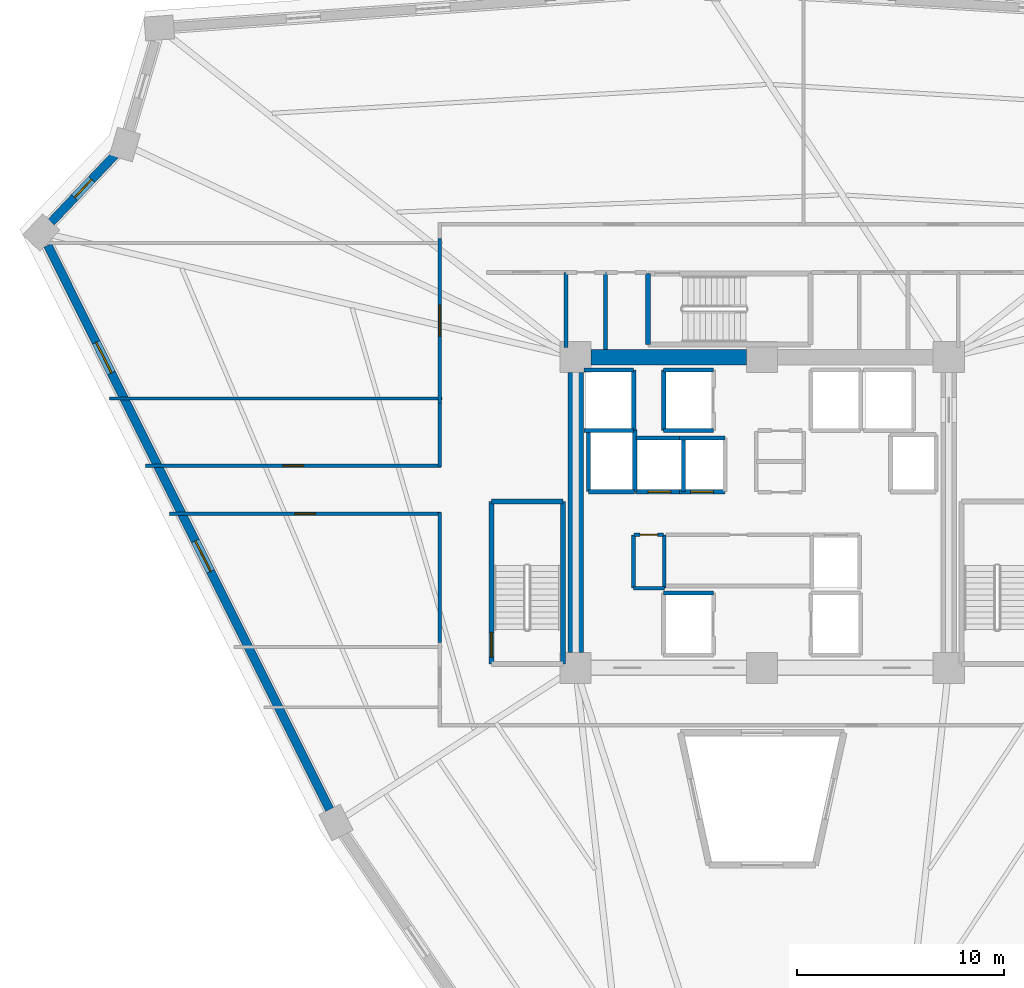
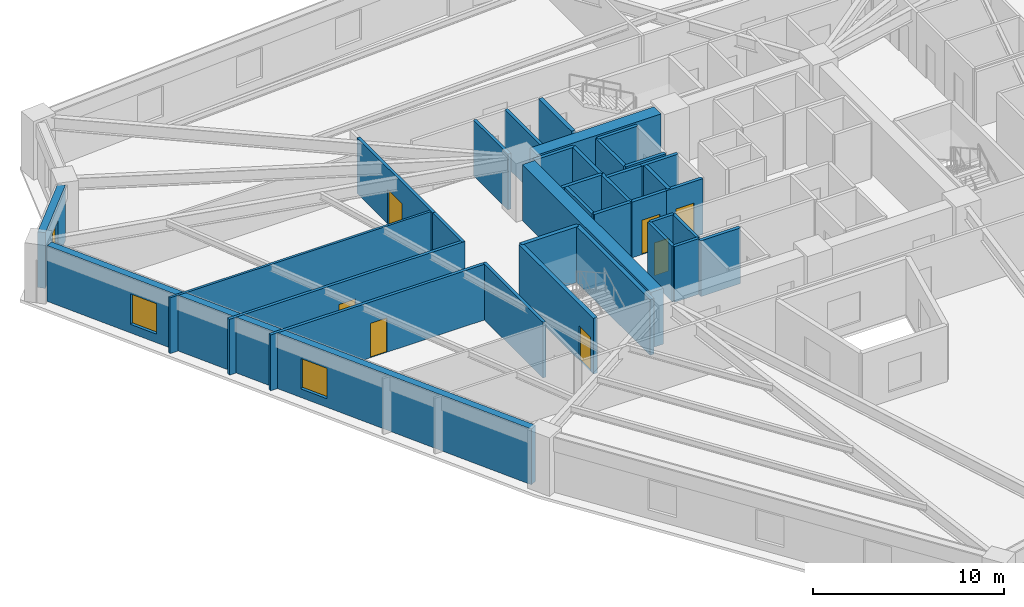
# One storey, part 4 of 8: 35 walls, 7 doors, 3 windows, 10 openings.
"""IFC4 building model written with IfcOpenShell, lengths in metres."""

from ifc_helpers import new_model, si_unit, direction, frame, frame_2d, origin, place, context, subcontext, project, spatial, rectangle, extrude, source, transform, mapped, material, layer, layer_set, type_object, element, fill, save


model = new_model("IFC4")

# Units and contexts
model_context = context("Model", 3, precision=1e-05, world=origin(), true_north=direction((0.0, 1.0)))
body_context = subcontext(model_context, "Body", "Model", "MODEL_VIEW")
ifc_project = project(units=[si_unit("LENGTHUNIT", "METRE"), si_unit("AREAUNIT", "SQUARE_METRE"), si_unit("VOLUMEUNIT", "CUBIC_METRE"), si_unit("PLANEANGLEUNIT", "RADIAN"), si_unit("MASSUNIT", "GRAM", prefix="KILO")], contexts=[model_context])

# Site, building, storey
site_placement = place(None, origin())
site = spatial("IfcSite", under=ifc_project, at=site_placement, CompositionType="ELEMENT")
building_placement = place(site_placement, origin())
building = spatial("IfcBuilding", under=site, at=building_placement, Name="Liaohun Quay Tower", CompositionType="ELEMENT")
storey_placement = place(building_placement, frame((0.0, 0.0, 170.25)))
storey = spatial("IfcBuildingStorey", under=building, at=storey_placement, Name="L44", CompositionType="ELEMENT", Elevation=170.25)

# Walls
ifc_material_1 = material(Name="Concrete C60", Category="concrete")
ifc_layer_1 = layer(ifc_material_1, 0.75, Name="Concrete C60", Category="concrete")
ifc_layer_set_1 = layer_set([ifc_layer_1], Name="Concrete C60")
wall_type_1 = type_object("IfcWallType", Name="WAL-COR-Z2", PredefinedType="SHEAR", material=ifc_layer_set_1)
wall_1_placement = place(storey_placement, frame((51.75, 61.5, 0.0), z_axis=(0.0, 0.0, 1.0), x_axis=(1.0, 0.0, 0.0)))
element("IfcWall", 1, at=wall_1_placement, inside=storey, type_object=wall_type_1, Name="L44 Central Core Shear Wall N-W", PredefinedType="SHEAR", context=body_context, shape_type="SweptSolid", body=[
    extrude(rectangle(XDim=7.5, YDim=0.75, at=frame_2d((3.75, 0.0))), origin(), (0.0, 0.0, 1.0), 3.570068359375),
])
wall_2_placement = place(storey_placement, frame((51.0, 47.25, 0.0), z_axis=(0.0, 0.0, 1.0), x_axis=(0.0, 1.0, 0.0)))
element("IfcWall", 2, at=wall_2_placement, inside=storey, type_object=wall_type_1, Name="L44 Central Core Shear Wall W", PredefinedType="SHEAR", context=body_context, shape_type="SweptSolid", body=[
    extrude(rectangle(XDim=13.5, YDim=0.75, at=frame_2d((6.75, 0.0))), origin(), (0.0, 0.0, 1.0), 3.570068359375),
])

# Wall, opening, window
ifc_material_2 = material(Name="Precast concrete C50 insulated sandwich", Category="concrete")
ifc_layer_2 = layer(ifc_material_2, 0.419921875, Name="Precast concrete C50 insulated sandwich", Category="concrete")
ifc_layer_set_2 = layer_set([ifc_layer_2], Name="Precast concrete C50 insulated sandwich")
wall_type_2 = type_object("IfcWallType", Name="WAL-EXT-Z12", PredefinedType="SOLIDWALL", material=ifc_layer_set_2)
wall_3_placement = place(storey_placement, frame((28.778076171875, 71.2509765625, 0.0), z_axis=(0.0, 0.0, 1.0), x_axis=(-0.689126443885, -0.724641114165, 0.0)))
wall_3 = element("IfcWall", 3, at=wall_3_placement, inside=storey, type_object=wall_type_2, Name="L44 Brutalist Precast Pier Wall 09", PredefinedType="SOLIDWALL", context=body_context, shape_type="SweptSolid", body=[
    extrude(rectangle(XDim=4.47509765625, YDim=0.419921875, at=frame_2d((2.237548828125, 0.0))), origin(), (0.0, 0.0, 1.0), 3.570068359375),
])
shared_shape_1 = source(origin(), body_context, "Body", "SweptSolid", [
    extrude(rectangle(XDim=1.199951171875, YDim=1.89990234375, at=frame_2d((0.60009765625, 0.949951171875))), frame((0.0, 0.219970703125, 0.0), z_axis=(0.0, -1.0, 0.0), x_axis=(1.0, 0.0, 0.0)), (0.0, 0.0, 1.0), 0.43994140625),
])
opening_1_placement = place(wall_3_placement, frame((1.637939453125, 0.0, 0.550048828125)))
opening_1 = element("IfcOpeningElement", 4, at=opening_1_placement, cuts=wall_3, Name="Opening W05", PredefinedType="OPENING", context=body_context, shape_type="MappedRepresentation", body=[
    mapped(shared_shape_1, transform((0.0, 0.0, 0.0), x_axis=(1.0, 0.0, 0.0), y_axis=(0.0, 1.0, 0.0), z_axis=(0.0, 0.0, 1.0), scale=1.0)),
])
ifc_material_3 = material(Name="Triple Low-E corner notch glazing", Category="glass")
window_type_1 = type_object("IfcWindowType", Name="WIN-NOTCH", PartitioningType="SINGLE_PANEL", PredefinedType="WINDOW", material=ifc_material_3)
shared_shape_2 = source(origin(), body_context, "Body", "SweptSolid", [
    extrude(rectangle(XDim=1.199951171875, YDim=1.89990234375, at=frame_2d((0.60009765625, 0.949951171875))), frame((0.0, 0.030029296875, 0.0), z_axis=(0.0, -1.0, 0.0), x_axis=(1.0, 0.0, 0.0)), (0.0, 0.0, 1.0), 0.06005859375),
])
window_1_placement = place(opening_1_placement, origin())
window_1 = element("IfcWindow", 5, at=window_1_placement, inside=storey, type_object=window_type_1, Name="L44 Corner Notch Window W05-09", OverallHeight=1.89990234375, OverallWidth=1.199951171875, PartitioningType="SINGLE_PANEL", PredefinedType="WINDOW", context=body_context, shape_type="MappedRepresentation", body=[
    mapped(shared_shape_2, transform((0.0, 0.0, 0.0), x_axis=(1.0, 0.0, 0.0), y_axis=(0.0, 1.0, 0.0), z_axis=(0.0, 0.0, 1.0), scale=1.0)),
])
fill(opening_1, window_1)

# Wall, openings, windows
wall_4_placement = place(storey_placement, frame((25.52587890625, 66.89111328125, 0.0), z_axis=(0.0, 0.0, 1.0), x_axis=(0.446995422188, -0.894536244399, 0.0)))
wall_4 = element("IfcWall", 6, at=wall_4_placement, inside=storey, type_object=wall_type_2, Name="L44 Brutalist Precast Pier Wall 10", PredefinedType="SOLIDWALL", context=body_context, shape_type="SweptSolid", body=[
    extrude(rectangle(XDim=30.439208984375, YDim=0.419921875, at=frame_2d((15.2197265625, 0.0))), origin(), (0.0, 0.0, 1.0), 3.570068359375),
])
shared_shape_3 = source(origin(), body_context, "Body", "SweptSolid", [
    extrude(rectangle(XDim=1.64990234375, YDim=1.949951171875, at=frame_2d((0.824951171875, 0.97509765625))), frame((0.0, 0.219970703125, 0.0), z_axis=(0.0, -1.0, 0.0), x_axis=(1.0, 0.0, 0.0)), (0.0, 0.0, 1.0), 0.43994140625),
])
opening_2_placement = place(wall_4_placement, frame((5.235107421875, 0.0, 0.550048828125)))
opening_2 = element("IfcOpeningElement", 7, at=opening_2_placement, cuts=wall_4, Name="Opening W02", PredefinedType="OPENING", context=body_context, shape_type="MappedRepresentation", body=[
    mapped(shared_shape_3, transform((0.0, 0.0, 0.0), x_axis=(1.0, 0.0, 0.0), y_axis=(0.0, 1.0, 0.0), z_axis=(0.0, 0.0, 1.0), scale=1.0)),
])
opening_3_placement = place(wall_4_placement, frame((15.945068359375, 0.0, 0.550048828125)))
opening_3 = element("IfcOpeningElement", 8, at=opening_3_placement, cuts=wall_4, Name="Opening W02", PredefinedType="OPENING", context=body_context, shape_type="MappedRepresentation", body=[
    mapped(shared_shape_3, transform((0.0, 0.0, 0.0), x_axis=(1.0, 0.0, 0.0), y_axis=(0.0, 1.0, 0.0), z_axis=(0.0, 0.0, 1.0), scale=1.0)),
])
ifc_material_4 = material(Name="Triple Low-E argon glazing in thermally broken aluminium", Category="aluminium")
window_type_2 = type_object("IfcWindowType", Name="WIN-PUN-Z2", PartitioningType="DOUBLE_PANEL_VERTICAL", PredefinedType="WINDOW", material=ifc_material_4)
shared_shape_4 = source(origin(), body_context, "Body", "SweptSolid", [
    extrude(rectangle(XDim=1.64990234375, YDim=1.949951171875, at=frame_2d((0.824951171875, 0.97509765625))), frame((0.0, 0.030029296875, 0.0), z_axis=(0.0, -1.0, 0.0), x_axis=(1.0, 0.0, 0.0)), (0.0, 0.0, 1.0), 0.06005859375),
])
window_2_placement = place(opening_2_placement, origin())
window_2 = element("IfcWindow", 9, at=window_2_placement, inside=storey, type_object=window_type_2, Name="L44 Recessed Cold-Climate Punched Window 10-1", OverallHeight=1.949951171875, OverallWidth=1.64990234375, PartitioningType="DOUBLE_PANEL_VERTICAL", PredefinedType="WINDOW", context=body_context, shape_type="MappedRepresentation", body=[
    mapped(shared_shape_4, transform((0.0, 0.0, 0.0), x_axis=(1.0, 0.0, 0.0), y_axis=(0.0, 1.0, 0.0), z_axis=(0.0, 0.0, 1.0), scale=1.0)),
])
fill(opening_2, window_2)
window_3_placement = place(opening_3_placement, origin())
window_3 = element("IfcWindow", 10, at=window_3_placement, inside=storey, type_object=window_type_2, Name="L44 Recessed Cold-Climate Punched Window 10-2", OverallHeight=1.949951171875, OverallWidth=1.64990234375, PartitioningType="DOUBLE_PANEL_VERTICAL", PredefinedType="WINDOW", context=body_context, shape_type="MappedRepresentation", body=[
    mapped(shared_shape_4, transform((0.0, 0.0, 0.0), x_axis=(1.0, 0.0, 0.0), y_axis=(0.0, 1.0, 0.0), z_axis=(0.0, 0.0, 1.0), scale=1.0)),
])
fill(opening_3, window_3)

# Wall, opening, door
ifc_material_5 = material(Name="Autoclaved aerated concrete blockwork", Category="masonry")
ifc_layer_3 = layer(ifc_material_5, 0.179931640625, Name="Autoclaved aerated concrete blockwork", Category="masonry")
ifc_layer_set_3 = layer_set([ifc_layer_3], Name="Autoclaved aerated concrete blockwork")
wall_type_3 = type_object("IfcWallType", Name="WAL-PRT-COR", PredefinedType="PARTITIONING", material=ifc_layer_set_3)
wall_5_placement = place(storey_placement, frame((53.820068359375, 52.919921875, 0.0), z_axis=(0.0, 0.0, 1.0), x_axis=(1.0, 0.0, 0.0)))
wall_5 = element("IfcWall", 11, at=wall_5_placement, inside=storey, type_object=wall_type_3, Name="L44 Interior Partition Wall 004", PredefinedType="PARTITIONING", context=body_context, shape_type="SweptSolid", body=[
    extrude(rectangle(XDim=1.429931640625, YDim=0.179931640625, at=frame_2d((0.71484375, 0.0))), origin(), (0.0, 0.0, 1.0), 3.570068359375),
])
shared_shape_5 = source(origin(), body_context, "Body", "SweptSolid", [
    extrude(rectangle(XDim=0.85009765625, YDim=2.10009765625, at=frame_2d((0.425048828125, 1.050048828125))), frame((0.0, 0.099853515625, 0.0), z_axis=(0.0, -1.0, 0.0), x_axis=(1.0, 0.0, 0.0)), (0.0, 0.0, 1.0), 0.199951171875),
])
opening_4_placement = place(wall_5_placement, frame((0.2900390625, 0.0, 0.0)))
opening_4 = element("IfcOpeningElement", 12, at=opening_4_placement, cuts=wall_5, Name="Opening AD1", PredefinedType="OPENING", context=body_context, shape_type="MappedRepresentation", body=[
    mapped(shared_shape_5, transform((0.0, 0.0, 0.0), x_axis=(1.0, 0.0, 0.0), y_axis=(0.0, 1.0, 0.0), z_axis=(0.0, 0.0, 1.0), scale=1.0)),
])
ifc_material_6 = material(Name="Steel riser inspection fire door", Category="steel")
door_type_1 = type_object("IfcDoorType", Name="DOR-SHF-850", OperationType="NOTDEFINED", PredefinedType="DOOR", material=ifc_material_6)
shared_shape_6 = source(origin(), body_context, "Body", "SweptSolid", [
    extrude(rectangle(XDim=0.85009765625, YDim=2.10009765625, at=frame_2d((0.425048828125, 1.050048828125))), frame((0.0, 0.02490234375, 0.0), z_axis=(0.0, -1.0, 0.0), x_axis=(1.0, 0.0, 0.0)), (0.0, 0.0, 1.0), 0.050048828125),
])
door_1_placement = place(opening_4_placement, origin())
door_1 = element("IfcDoor", 13, at=door_1_placement, inside=storey, type_object=door_type_1, Name="L44 Core Fire Hose and Riser Closet Door", OperationType="SINGLE_SWING_LEFT", OverallHeight=2.10009765625, OverallWidth=0.85009765625, PredefinedType="DOOR", context=body_context, shape_type="MappedRepresentation", body=[
    mapped(shared_shape_6, transform((0.0, 0.0, 0.0), x_axis=(1.0, 0.0, 0.0), y_axis=(0.0, 1.0, 0.0), z_axis=(0.0, 0.0, 1.0), scale=1.0)),
])
fill(opening_4, door_1)

wall_6_placement = place(storey_placement, frame((44.43994140625, 59.284912109375, 0.0), z_axis=(0.0, 0.0, 1.0), x_axis=(0.0, 1.0, 0.0)))
wall_6 = element("IfcWall", 14, at=wall_6_placement, inside=storey, type_object=wall_type_3, Name="L44 Interior Partition Wall 018", PredefinedType="PARTITIONING", context=body_context, shape_type="SweptSolid", body=[
    extrude(rectangle(XDim=7.93017578125, YDim=0.179931640625, at=frame_2d((3.965087890625, 0.0))), origin(), (0.0, 0.0, 1.0), 3.570068359375),
])
shared_shape_7 = source(origin(), body_context, "Body", "SweptSolid", [
    extrude(rectangle(XDim=1.5, YDim=2.199951171875, at=frame_2d((0.75, 1.10009765625))), frame((0.0, 0.099853515625, 0.0), z_axis=(0.0, -1.0, 0.0), x_axis=(1.0, 0.0, 0.0)), (0.0, 0.0, 1.0), 0.199951171875),
])
opening_5_placement = place(wall_6_placement, frame((3.215087890625, 0.0, 0.0)))
opening_5 = element("IfcOpeningElement", 15, at=opening_5_placement, cuts=wall_6, Name="Opening OD2", PredefinedType="OPENING", context=body_context, shape_type="MappedRepresentation", body=[
    mapped(shared_shape_7, transform((0.0, 0.0, 0.0), x_axis=(1.0, 0.0, 0.0), y_axis=(0.0, 1.0, 0.0), z_axis=(0.0, 0.0, 1.0), scale=1.0)),
])
ifc_material_7 = material(Name="Acoustic oak veneer double door")
door_type_2 = type_object("IfcDoorType", Name="DOR-OFF-1500", OperationType="DOUBLE_DOOR_SINGLE_SWING", PredefinedType="DOOR", material=ifc_material_7)
shared_shape_8 = source(origin(), body_context, "Body", "SweptSolid", [
    extrude(rectangle(XDim=1.5, YDim=2.199951171875, at=frame_2d((0.75, 1.10009765625))), frame((0.0, 0.02490234375, 0.0), z_axis=(0.0, -1.0, 0.0), x_axis=(1.0, 0.0, 0.0)), (0.0, 0.0, 1.0), 0.050048828125),
])
door_2_placement = place(opening_5_placement, origin())
door_2 = element("IfcDoor", 16, at=door_2_placement, inside=storey, type_object=door_type_2, Name="L44 Project Collaboration Studio 04 Door", OperationType="DOUBLE_DOOR_SINGLE_SWING", OverallHeight=2.199951171875, OverallWidth=1.5, PredefinedType="DOOR", context=body_context, shape_type="MappedRepresentation", body=[
    mapped(shared_shape_8, transform((0.0, 0.0, 0.0), x_axis=(1.0, 0.0, 0.0), y_axis=(0.0, 1.0, 0.0), z_axis=(0.0, 0.0, 1.0), scale=1.0)),
])
fill(opening_5, door_2)

wall_7_placement = place(storey_placement, frame((30.242919921875, 56.260009765625, 0.0), z_axis=(0.0, 0.0, 1.0), x_axis=(1.0, 0.0, 0.0)))
wall_7 = element("IfcWall", 17, at=wall_7_placement, inside=storey, type_object=wall_type_3, Name="L44 Interior Partition Wall 019", PredefinedType="PARTITIONING", context=body_context, shape_type="SweptSolid", body=[
    extrude(rectangle(XDim=14.26708984375, YDim=0.179931640625, at=frame_2d((7.133544921875, 0.0))), origin(), (0.0, 0.0, 1.0), 3.570068359375),
])
shared_shape_9 = source(origin(), body_context, "Body", "SweptSolid", [
    extrude(rectangle(XDim=1.0, YDim=2.199951171875, at=frame_2d((0.5, 1.10009765625))), frame((0.0, 0.099853515625, 0.0), z_axis=(0.0, -1.0, 0.0), x_axis=(1.0, 0.0, 0.0)), (0.0, 0.0, 1.0), 0.199951171875),
])
opening_6_placement = place(wall_7_placement, frame((6.633056640625, 0.0, 0.0)))
opening_6 = element("IfcOpeningElement", 18, at=opening_6_placement, cuts=wall_7, Name="Opening OD1", PredefinedType="OPENING", context=body_context, shape_type="MappedRepresentation", body=[
    mapped(shared_shape_9, transform((0.0, 0.0, 0.0), x_axis=(1.0, 0.0, 0.0), y_axis=(0.0, 1.0, 0.0), z_axis=(0.0, 0.0, 1.0), scale=1.0)),
])
ifc_material_8 = material(Name="Solid-core oak veneer timber leaf in steel frame", Category="steel")
door_type_3 = type_object("IfcDoorType", Name="DOR-OFF-1000", OperationType="NOTDEFINED", PredefinedType="DOOR", material=ifc_material_8)
shared_shape_10 = source(origin(), body_context, "Body", "SweptSolid", [
    extrude(rectangle(XDim=1.0, YDim=2.199951171875, at=frame_2d((0.5, 1.10009765625))), frame((0.0, 0.02490234375, 0.0), z_axis=(0.0, -1.0, 0.0), x_axis=(1.0, 0.0, 0.0)), (0.0, 0.0, 1.0), 0.050048828125),
])
door_3_placement = place(opening_6_placement, origin())
door_3 = element("IfcDoor", 19, at=door_3_placement, inside=storey, type_object=door_type_3, Name="L44 Corporate Exhibition Gallery 05 Door", OperationType="SINGLE_SWING_RIGHT", OverallHeight=2.199951171875, OverallWidth=1.0, PredefinedType="DOOR", context=body_context, shape_type="MappedRepresentation", body=[
    mapped(shared_shape_10, transform((0.0, 0.0, 0.0), x_axis=(1.0, 0.0, 0.0), y_axis=(0.0, 1.0, 0.0), z_axis=(0.0, 0.0, 1.0), scale=1.0)),
])
fill(opening_6, door_3)

wall_8_placement = place(storey_placement, frame((44.510009765625, 53.93994140625, 0.0), z_axis=(0.0, 0.0, 1.0), x_axis=(-1.0, 0.0, 0.0)))
wall_8 = element("IfcWall", 20, at=wall_8_placement, inside=storey, type_object=wall_type_3, Name="L44 Interior Partition Wall 020", PredefinedType="PARTITIONING", context=body_context, shape_type="SweptSolid", body=[
    extrude(rectangle(XDim=13.10791015625, YDim=0.179931640625, at=frame_2d((6.553955078125, 0.0))), origin(), (0.0, 0.0, 1.0), 3.570068359375),
])
opening_7_placement = place(wall_8_placement, frame((6.053955078125, 0.0, 0.0)))
opening_7 = element("IfcOpeningElement", 21, at=opening_7_placement, cuts=wall_8, Name="Opening OD1", PredefinedType="OPENING", context=body_context, shape_type="MappedRepresentation", body=[
    mapped(shared_shape_9, transform((0.0, 0.0, 0.0), x_axis=(1.0, 0.0, 0.0), y_axis=(0.0, 1.0, 0.0), z_axis=(0.0, 0.0, 1.0), scale=1.0)),
])
door_4_placement = place(opening_7_placement, origin())
door_4 = element("IfcDoor", 22, at=door_4_placement, inside=storey, type_object=door_type_3, Name="L44 Staff Tea Kitchen and Pantry 06 Door", OperationType="SINGLE_SWING_LEFT", OverallHeight=2.199951171875, OverallWidth=1.0, PredefinedType="DOOR", context=body_context, shape_type="MappedRepresentation", body=[
    mapped(shared_shape_10, transform((0.0, 0.0, 0.0), x_axis=(1.0, 0.0, 0.0), y_axis=(0.0, 1.0, 0.0), z_axis=(0.0, 0.0, 1.0), scale=1.0)),
])
fill(opening_7, door_4)

# Walls
wall_9_placement = place(storey_placement, frame((53.7900390625, 50.35009765625, 0.0), z_axis=(0.0, 0.0, 1.0), x_axis=(0.0, 1.0, 0.0)))
element("IfcWall", 23, at=wall_9_placement, inside=storey, type_object=wall_type_3, Name="L44 Interior Partition Wall 028", PredefinedType="PARTITIONING", context=body_context, shape_type="SweptSolid", body=[
    extrude(rectangle(XDim=2.56982421875, YDim=0.179931640625, at=frame_2d((1.284912109375, 0.0))), origin(), (0.0, 0.0, 1.0), 3.570068359375),
])
wall_10_placement = place(storey_placement, frame((53.7900390625, 50.35009765625, 0.0), z_axis=(0.0, 0.0, 1.0), x_axis=(1.0, 0.0, 0.0)))
element("IfcWall", 24, at=wall_10_placement, inside=storey, type_object=wall_type_3, Name="L44 Interior Partition Wall 029", PredefinedType="PARTITIONING", context=body_context, shape_type="SweptSolid", body=[
    extrude(rectangle(XDim=1.489990234375, YDim=0.179931640625, at=frame_2d((0.7451171875, 0.0))), origin(), (0.0, 0.0, 1.0), 3.570068359375),
])
wall_11_placement = place(storey_placement, frame((55.280029296875, 50.35009765625, 0.0), z_axis=(0.0, 0.0, 1.0), x_axis=(0.0, 1.0, 0.0)))
element("IfcWall", 25, at=wall_11_placement, inside=storey, type_object=wall_type_3, Name="L44 Interior Partition Wall 030", PredefinedType="PARTITIONING", context=body_context, shape_type="SweptSolid", body=[
    extrude(rectangle(XDim=2.56982421875, YDim=0.179931640625, at=frame_2d((1.284912109375, 0.0))), origin(), (0.0, 0.0, 1.0), 3.570068359375),
])
wall_12_placement = place(storey_placement, frame((50.5400390625, 61.949951171875, 0.0), z_axis=(0.0, 0.0, 1.0), x_axis=(0.0, 1.0, 0.0)))
element("IfcWall", 26, at=wall_12_placement, inside=storey, type_object=wall_type_3, Name="L44 Interior Partition Wall 036", PredefinedType="PARTITIONING", context=body_context, shape_type="SweptSolid", body=[
    extrude(rectangle(XDim=3.630126953125, YDim=0.179931640625, at=frame_2d((1.81494140625, 0.0))), origin(), (0.0, 0.0, 1.0), 3.570068359375),
])
wall_13_placement = place(storey_placement, frame((52.43994140625, 61.875, 0.0), z_axis=(0.0, 0.0, 1.0), x_axis=(0.0, 1.0, 0.0)))
element("IfcWall", 27, at=wall_13_placement, inside=storey, type_object=wall_type_3, Name="L44 Interior Partition Wall 037", PredefinedType="PARTITIONING", context=body_context, shape_type="SweptSolid", body=[
    extrude(rectangle(XDim=3.705078125, YDim=0.179931640625, at=frame_2d((1.8525390625, 0.0))), origin(), (0.0, 0.0, 1.0), 3.570068359375),
])
wall_14_placement = place(storey_placement, frame((44.43994140625, 56.18994140625, 0.0), z_axis=(0.0, 0.0, 1.0), x_axis=(0.0, 1.0, 0.0)))
element("IfcWall", 28, at=wall_14_placement, inside=storey, type_object=wall_type_3, Name="L44 Interior Partition Wall 044", PredefinedType="PARTITIONING", context=body_context, shape_type="SweptSolid", body=[
    extrude(rectangle(XDim=3.094970703125, YDim=0.179931640625, at=frame_2d((1.54736328125, 0.0))), origin(), (0.0, 0.0, 1.0), 3.570068359375),
])
wall_15_placement = place(storey_placement, frame((44.43994140625, 47.715087890625, 0.0), z_axis=(0.0, 0.0, 1.0), x_axis=(0.0, 1.0, 0.0)))
element("IfcWall", 29, at=wall_15_placement, inside=storey, type_object=wall_type_3, Name="L44 Interior Partition Wall 045", PredefinedType="PARTITIONING", context=body_context, shape_type="SweptSolid", body=[
    extrude(rectangle(XDim=6.294921875, YDim=0.179931640625, at=frame_2d((3.1474609375, 0.0))), origin(), (0.0, 0.0, 1.0), 3.570068359375),
])
ifc_material_9 = material(Name="Gypsum board on twin steel studs", Category="steel")
ifc_layer_4 = layer(ifc_material_9, 0.139892578125, Name="Gypsum board on twin steel studs", Category="steel")
ifc_layer_set_4 = layer_set([ifc_layer_4], Name="Gypsum board on twin steel studs")
wall_type_4 = type_object("IfcWallType", Name="WAL-PRT-OFF", PredefinedType="PARTITIONING", material=ifc_layer_set_4)
wall_16_placement = place(storey_placement, frame((44.5400390625, 59.5, 0.0), z_axis=(0.0, 0.0, 1.0), x_axis=(-1.0, 0.0, 0.0)))
element("IfcWall", 30, at=wall_16_placement, inside=storey, type_object=wall_type_4, Name="L44 Interior Partition Wall 051", PredefinedType="PARTITIONING", context=body_context, shape_type="SweptSolid", body=[
    extrude(rectangle(XDim=16.025146484375, YDim=0.139892578125, at=frame_2d((8.0126953125, 0.0))), origin(), (0.0, 0.0, 1.0), 3.570068359375),
])
ifc_material_10 = material(Name="Concrete C50", Category="concrete")
ifc_layer_5 = layer(ifc_material_10, 0.239990234375, Name="Concrete C50", Category="concrete")
ifc_layer_set_5 = layer_set([ifc_layer_5], Name="Concrete C50")
wall_type_5 = type_object("IfcWallType", Name="WAL-SHF-200", PredefinedType="SOLIDWALL", material=ifc_layer_set_5)
wall_17_placement = place(storey_placement, frame((50.3798828125, 46.699951171875, 0.0), z_axis=(0.0, 0.0, 1.0), x_axis=(0.0, 1.0, 0.0)))
element("IfcWall", 31, at=wall_17_placement, inside=storey, type_object=wall_type_5, Name="L44 Stairwell ST-1 Structural Core Wall E", PredefinedType="SOLIDWALL", context=body_context, shape_type="SweptSolid", body=[
    extrude(rectangle(XDim=7.820068359375, YDim=0.239990234375, at=frame_2d((3.91015625, 0.0))), origin(), (0.0, 0.0, 1.0), 3.570068359375),
])
wall_18_placement = place(storey_placement, frame((50.3798828125, 54.52001953125, 0.0), z_axis=(0.0, 0.0, 1.0), x_axis=(-1.0, 0.0, 0.0)))
element("IfcWall", 32, at=wall_18_placement, inside=storey, type_object=wall_type_5, Name="L44 Stairwell ST-1 Structural Core Wall N", PredefinedType="SOLIDWALL", context=body_context, shape_type="SweptSolid", body=[
    extrude(rectangle(XDim=3.43994140625, YDim=0.239990234375, at=frame_2d((1.719970703125, 0.0))), origin(), (0.0, 0.0, 1.0), 3.570068359375),
])

# Wall, opening, door
wall_19_placement = place(storey_placement, frame((46.93994140625, 54.52001953125, 0.0), z_axis=(0.0, 0.0, 1.0), x_axis=(0.0, -1.0, 0.0)))
wall_19 = element("IfcWall", 33, at=wall_19_placement, inside=storey, type_object=wall_type_5, Name="L44 Stairwell ST-1 Structural Core Wall W", PredefinedType="SOLIDWALL", context=body_context, shape_type="SweptSolid", body=[
    extrude(rectangle(XDim=7.820068359375, YDim=0.239990234375, at=frame_2d((3.91015625, 0.0))), origin(), (0.0, 0.0, 1.0), 3.570068359375),
])
shared_shape_11 = source(origin(), body_context, "Body", "SweptSolid", [
    extrude(rectangle(XDim=1.199951171875, YDim=2.199951171875, at=frame_2d((0.60009765625, 1.10009765625))), frame((0.0, 0.1298828125, 0.0), z_axis=(0.0, -1.0, 0.0), x_axis=(1.0, 0.0, 0.0)), (0.0, 0.0, 1.0), 0.260009765625),
])
opening_8_placement = place(wall_19_placement, frame((6.300048828125, 0.0, 0.0)))
opening_8 = element("IfcOpeningElement", 34, at=opening_8_placement, cuts=wall_19, Name="Opening SD1", PredefinedType="OPENING", context=body_context, shape_type="MappedRepresentation", body=[
    mapped(shared_shape_11, transform((0.0, 0.0, 0.0), x_axis=(1.0, 0.0, 0.0), y_axis=(0.0, 1.0, 0.0), z_axis=(0.0, 0.0, 1.0), scale=1.0)),
])
ifc_material_11 = material(Name="Galvanised steel fire door", Category="steel")
door_type_4 = type_object("IfcDoorType", Name="DOR-STR-1200", OperationType="NOTDEFINED", PredefinedType="DOOR", material=ifc_material_11)
shared_shape_12 = source(origin(), body_context, "Body", "SweptSolid", [
    extrude(rectangle(XDim=1.199951171875, YDim=2.199951171875, at=frame_2d((0.60009765625, 1.10009765625))), frame((0.0, 0.02490234375, 0.0), z_axis=(0.0, -1.0, 0.0), x_axis=(1.0, 0.0, 0.0)), (0.0, 0.0, 1.0), 0.050048828125),
])
door_5_placement = place(opening_8_placement, origin())
door_5 = element("IfcDoor", 35, at=door_5_placement, inside=storey, type_object=door_type_4, Name="L44 Protected Stair ST-1 Fire Door", OperationType="SINGLE_SWING_LEFT", OverallHeight=2.199951171875, OverallWidth=1.199951171875, PredefinedType="DOOR", context=body_context, shape_type="MappedRepresentation", body=[
    mapped(shared_shape_12, transform((0.0, 0.0, 0.0), x_axis=(1.0, 0.0, 0.0), y_axis=(0.0, 1.0, 0.0), z_axis=(0.0, 0.0, 1.0), scale=1.0)),
])
fill(opening_8, door_5)

# Walls
wall_20_placement = place(storey_placement, frame((54.5, 65.5400390625, 0.0), z_axis=(0.0, 0.0, 1.0), x_axis=(0.0, -1.0, 0.0)))
element("IfcWall", 36, at=wall_20_placement, inside=storey, type_object=wall_type_5, Name="L44 Stairwell ST-3 Structural Core Wall W", PredefinedType="SOLIDWALL", context=body_context, shape_type="SweptSolid", body=[
    extrude(rectangle(XDim=3.43994140625, YDim=0.239990234375, at=frame_2d((1.719970703125, 0.0))), origin(), (0.0, 0.0, 1.0), 3.570068359375),
])
for number, where, z_axis, x_axis, name in (
    (37, (57.64990234375, 50.1201171875, 0.0), (0.0, 0.0, 1.0), (-1.0, 0.0, 0.0), "L44 Lift FF-01 Hoistway Wall N"),
    (38, (55.25, 57.949951171875, 0.0), (0.0, 0.0, 1.0), (1.0, 0.0, 0.0), "L44 Lift FF-03 Hoistway Wall S"),
    (39, (57.64990234375, 60.8798828125, 0.0), (0.0, 0.0, 1.0), (-1.0, 0.0, 0.0), "L44 Lift FF-03 Hoistway Wall N"),
):
    element("IfcWall", number, at=place(storey_placement, frame(where, z_axis=z_axis, x_axis=x_axis)), inside=storey, type_object=wall_type_5, Name=name, PredefinedType="SOLIDWALL", context=body_context, shape_type="SweptSolid", body=[
        extrude(rectangle(XDim=2.39990234375, YDim=0.199951171875, at=frame_2d((1.199951171875, 0.0))), origin(), (0.0, 0.0, 1.0), 3.570068359375),
    ])
wall_21_placement = place(storey_placement, frame((55.25, 60.8798828125, 0.0), z_axis=(0.0, 0.0, 1.0), x_axis=(0.0, -1.0, 0.0)))
element("IfcWall", 40, at=wall_21_placement, inside=storey, type_object=wall_type_5, Name="L44 Lift FF-03 Hoistway Wall W", PredefinedType="SOLIDWALL", context=body_context, shape_type="SweptSolid", body=[
    extrude(rectangle(XDim=2.929931640625, YDim=0.199951171875, at=frame_2d((1.46484375, 0.0))), origin(), (0.0, 0.0, 1.0), 3.570068359375),
])
wall_22_placement = place(storey_placement, frame((51.39990234375, 57.949951171875, 0.0), z_axis=(0.0, 0.0, 1.0), x_axis=(1.0, 0.0, 0.0)))
element("IfcWall", 41, at=wall_22_placement, inside=storey, type_object=wall_type_5, Name="L44 Lift SH-01 Hoistway Wall S", PredefinedType="SOLIDWALL", context=body_context, shape_type="SweptSolid", body=[
    extrude(rectangle(XDim=2.400146484375, YDim=0.199951171875, at=frame_2d((1.2001953125, 0.0))), origin(), (0.0, 0.0, 1.0), 3.570068359375),
])
wall_23_placement = place(storey_placement, frame((53.800048828125, 57.949951171875, 0.0), z_axis=(0.0, 0.0, 1.0), x_axis=(0.0, 1.0, 0.0)))
element("IfcWall", 42, at=wall_23_placement, inside=storey, type_object=wall_type_5, Name="L44 Lift SH-01 Hoistway Wall E", PredefinedType="SOLIDWALL", context=body_context, shape_type="SweptSolid", body=[
    extrude(rectangle(XDim=2.929931640625, YDim=0.199951171875, at=frame_2d((1.46484375, 0.0))), origin(), (0.0, 0.0, 1.0), 3.570068359375),
])
wall_24_placement = place(storey_placement, frame((53.800048828125, 60.8798828125, 0.0), z_axis=(0.0, 0.0, 1.0), x_axis=(-1.0, 0.0, 0.0)))
element("IfcWall", 43, at=wall_24_placement, inside=storey, type_object=wall_type_5, Name="L44 Lift SH-01 Hoistway Wall N", PredefinedType="SOLIDWALL", context=body_context, shape_type="SweptSolid", body=[
    extrude(rectangle(XDim=2.400146484375, YDim=0.199951171875, at=frame_2d((1.2001953125, 0.0))), origin(), (0.0, 0.0, 1.0), 3.570068359375),
])
wall_25_placement = place(storey_placement, frame((51.6201171875, 55.0, 0.0), z_axis=(0.0, 0.0, 1.0), x_axis=(1.0, 0.0, 0.0)))
element("IfcWall", 44, at=wall_25_placement, inside=storey, type_object=wall_type_5, Name="L44 Lift SH-02 Hoistway Wall S", PredefinedType="SOLIDWALL", context=body_context, shape_type="SweptSolid", body=[
    extrude(rectangle(XDim=2.22998046875, YDim=0.199951171875, at=frame_2d((1.114990234375, 0.0))), origin(), (0.0, 0.0, 1.0), 3.570068359375),
])
for number, where, z_axis, x_axis, name in (
    (45, (53.85009765625, 55.0, 0.0), (0.0, 0.0, 1.0), (0.0, 1.0, 0.0), "L44 Lift SH-02 Hoistway Wall E"),
    (46, (51.6201171875, 58.0, 0.0), (0.0, 0.0, 1.0), (0.0, -1.0, 0.0), "L44 Lift SH-02 Hoistway Wall W"),
):
    element("IfcWall", number, at=place(storey_placement, frame(where, z_axis=z_axis, x_axis=x_axis)), inside=storey, type_object=wall_type_5, Name=name, PredefinedType="SOLIDWALL", context=body_context, shape_type="SweptSolid", body=[
        extrude(rectangle(XDim=3.0, YDim=0.199951171875, at=frame_2d((1.5, 0.0))), origin(), (0.0, 0.0, 1.0), 3.570068359375),
    ])

# Wall, opening, door
wall_26_placement = place(storey_placement, frame((53.89990234375, 55.0, 0.0), z_axis=(0.0, 0.0, 1.0), x_axis=(1.0, 0.0, 0.0)))
wall_26 = element("IfcWall", 47, at=wall_26_placement, inside=storey, type_object=wall_type_5, Name="L44 Lift PL-2B Hoistway Wall S", PredefinedType="SOLIDWALL", context=body_context, shape_type="SweptSolid", body=[
    extrude(rectangle(XDim=2.300048828125, YDim=0.199951171875, at=frame_2d((1.14990234375, 0.0))), origin(), (0.0, 0.0, 1.0), 3.570068359375),
])
shared_shape_13 = source(origin(), body_context, "Body", "SweptSolid", [
    extrude(rectangle(XDim=1.10009765625, YDim=2.199951171875, at=frame_2d((0.550048828125, 1.10009765625))), frame((0.0, 0.10986328125, 0.0), z_axis=(0.0, -1.0, 0.0), x_axis=(1.0, 0.0, 0.0)), (0.0, 0.0, 1.0), 0.219970703125),
])
opening_9_placement = place(wall_26_placement, frame((0.60009765625, 0.0, 0.0)))
opening_9 = element("IfcOpeningElement", 48, at=opening_9_placement, cuts=wall_26, Name="Opening LD1", PredefinedType="OPENING", context=body_context, shape_type="MappedRepresentation", body=[
    mapped(shared_shape_13, transform((0.0, 0.0, 0.0), x_axis=(1.0, 0.0, 0.0), y_axis=(0.0, 1.0, 0.0), z_axis=(0.0, 0.0, 1.0), scale=1.0)),
])
ifc_material_12 = material(Name="Brushed stainless steel landing door", Category="steel")
door_type_5 = type_object("IfcDoorType", Name="DOR-LFT-1100", OperationType="SLIDING_TO_LEFT", PredefinedType="DOOR", material=ifc_material_12)
shared_shape_14 = source(origin(), body_context, "Body", "SweptSolid", [
    extrude(rectangle(XDim=1.10009765625, YDim=2.199951171875, at=frame_2d((0.550048828125, 1.10009765625))), frame((0.0, 0.02490234375, 0.0), z_axis=(0.0, -1.0, 0.0), x_axis=(1.0, 0.0, 0.0)), (0.0, 0.0, 1.0), 0.050048828125),
])
door_6_placement = place(opening_9_placement, origin())
door_6 = element("IfcDoor", 49, at=door_6_placement, inside=storey, type_object=door_type_5, Name="L44 Lift PL-2B Sliding Landing Door", OperationType="SLIDING_TO_LEFT", OverallHeight=2.199951171875, OverallWidth=1.10009765625, PredefinedType="DOOR", context=body_context, shape_type="MappedRepresentation", body=[
    mapped(shared_shape_14, transform((0.0, 0.0, 0.0), x_axis=(1.0, 0.0, 0.0), y_axis=(0.0, 1.0, 0.0), z_axis=(0.0, 0.0, 1.0), scale=1.0)),
])
fill(opening_9, door_6)

# Walls
wall_27_placement = place(storey_placement, frame((56.199951171875, 55.0, 0.0), z_axis=(0.0, 0.0, 1.0), x_axis=(0.0, 1.0, 0.0)))
element("IfcWall", 50, at=wall_27_placement, inside=storey, type_object=wall_type_5, Name="L44 Lift PL-2B Hoistway Wall E", PredefinedType="SOLIDWALL", context=body_context, shape_type="SweptSolid", body=[
    extrude(rectangle(XDim=2.60009765625, YDim=0.199951171875, at=frame_2d((1.300048828125, 0.0))), origin(), (0.0, 0.0, 1.0), 3.570068359375),
])
wall_28_placement = place(storey_placement, frame((56.199951171875, 57.60009765625, 0.0), z_axis=(0.0, 0.0, 1.0), x_axis=(-1.0, 0.0, 0.0)))
element("IfcWall", 51, at=wall_28_placement, inside=storey, type_object=wall_type_5, Name="L44 Lift PL-2B Hoistway Wall N", PredefinedType="SOLIDWALL", context=body_context, shape_type="SweptSolid", body=[
    extrude(rectangle(XDim=2.300048828125, YDim=0.199951171875, at=frame_2d((1.14990234375, 0.0))), origin(), (0.0, 0.0, 1.0), 3.570068359375),
])

# Wall, opening, door
wall_29_placement = place(storey_placement, frame((56.0, 55.0, 0.0), z_axis=(0.0, 0.0, 1.0), x_axis=(1.0, 0.0, 0.0)))
wall_29 = element("IfcWall", 52, at=wall_29_placement, inside=storey, type_object=wall_type_5, Name="L44 Lift PL-2C Hoistway Wall S", PredefinedType="SOLIDWALL", context=body_context, shape_type="SweptSolid", body=[
    extrude(rectangle(XDim=2.199951171875, YDim=0.199951171875, at=frame_2d((1.10009765625, 0.0))), origin(), (0.0, 0.0, 1.0), 3.570068359375),
])
opening_10_placement = place(wall_29_placement, frame((0.550048828125, 0.0, 0.0)))
opening_10 = element("IfcOpeningElement", 53, at=opening_10_placement, cuts=wall_29, Name="Opening LD1", PredefinedType="OPENING", context=body_context, shape_type="MappedRepresentation", body=[
    mapped(shared_shape_13, transform((0.0, 0.0, 0.0), x_axis=(1.0, 0.0, 0.0), y_axis=(0.0, 1.0, 0.0), z_axis=(0.0, 0.0, 1.0), scale=1.0)),
])
door_7_placement = place(opening_10_placement, origin())
door_7 = element("IfcDoor", 54, at=door_7_placement, inside=storey, type_object=door_type_5, Name="L44 Lift PL-2C Sliding Landing Door", OperationType="SLIDING_TO_LEFT", OverallHeight=2.199951171875, OverallWidth=1.10009765625, PredefinedType="DOOR", context=body_context, shape_type="MappedRepresentation", body=[
    mapped(shared_shape_14, transform((0.0, 0.0, 0.0), x_axis=(1.0, 0.0, 0.0), y_axis=(0.0, 1.0, 0.0), z_axis=(0.0, 0.0, 1.0), scale=1.0)),
])
fill(opening_10, door_7)

# Wall
wall_30_placement = place(storey_placement, frame((58.199951171875, 57.60009765625, 0.0), z_axis=(0.0, 0.0, 1.0), x_axis=(-1.0, 0.0, 0.0)))
element("IfcWall", 55, at=wall_30_placement, inside=storey, type_object=wall_type_5, Name="L44 Lift PL-2C Hoistway Wall N", PredefinedType="SOLIDWALL", context=body_context, shape_type="SweptSolid", body=[
    extrude(rectangle(XDim=2.199951171875, YDim=0.199951171875, at=frame_2d((1.10009765625, 0.0))), origin(), (0.0, 0.0, 1.0), 3.570068359375),
])

save(model, "model.ifc")
